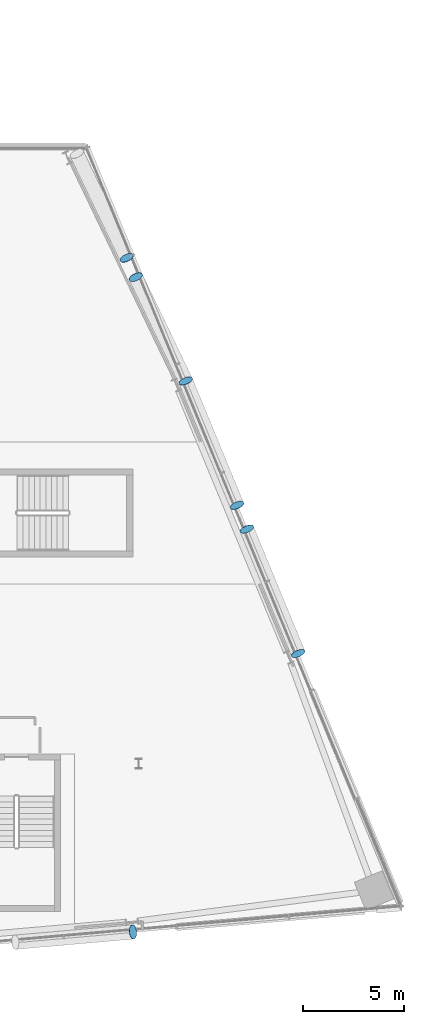
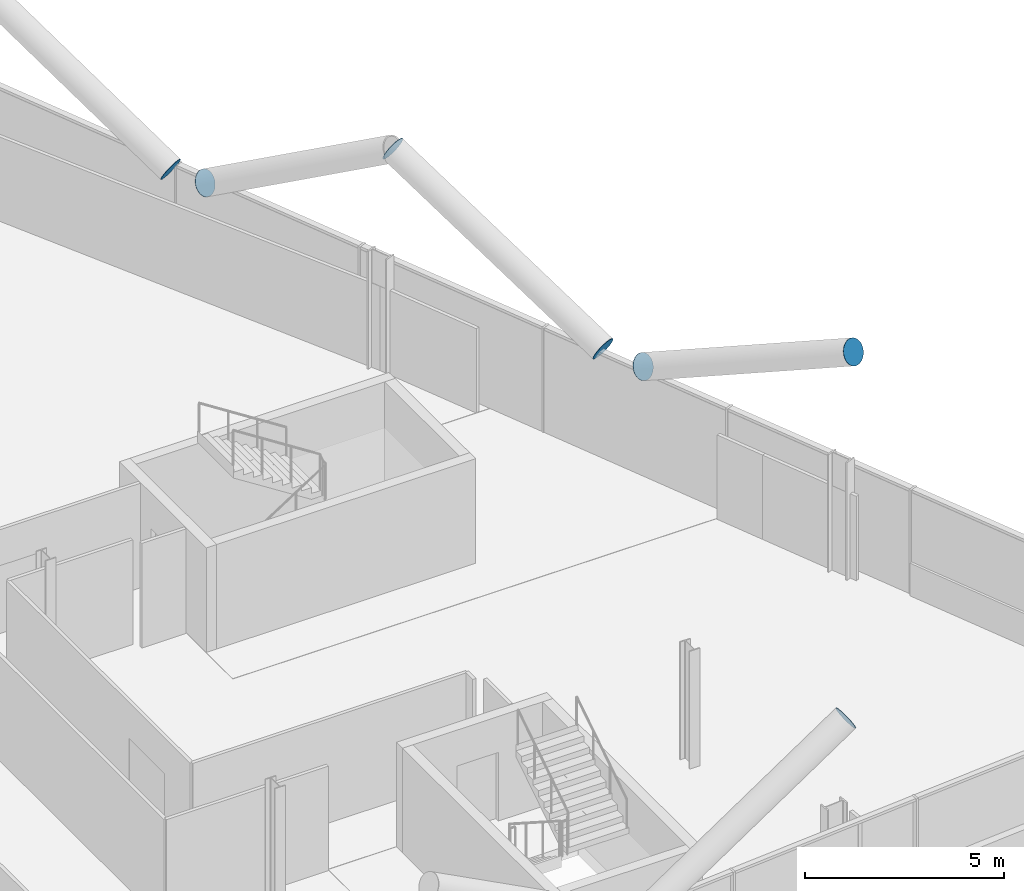
# One storey, part 23 of 26: 7 discrete accessories.
"""IFC4 building model written with IfcOpenShell, lengths in metres."""

from ifc_helpers import new_model, si_unit, direction, frame, origin, origin_2d, place, context, subcontext, project, spatial, circle, extrude, material, material_profile, profile_set, type_object, element, save


model = new_model("IFC4")

# Units and contexts
model_context = context("Model", 3, precision=1e-05, world=origin(), true_north=direction((0.0, 1.0)))
body_context = subcontext(model_context, "Body", "Model", "MODEL_VIEW")
ifc_project = project(units=[si_unit("LENGTHUNIT", "METRE"), si_unit("AREAUNIT", "SQUARE_METRE"), si_unit("VOLUMEUNIT", "CUBIC_METRE"), si_unit("PLANEANGLEUNIT", "RADIAN"), si_unit("MASSUNIT", "GRAM", prefix="KILO")], contexts=[model_context])

# Site, building, storey
site_placement = place(None, origin())
site = spatial("IfcSite", under=ifc_project, at=site_placement, CompositionType="ELEMENT")
building_placement = place(site_placement, origin())
building = spatial("IfcBuilding", under=site, at=building_placement, Name="Wharfspan Tower", CompositionType="ELEMENT")
storey_placement = place(building_placement, frame((0.0, 0.0, 180.699951)))
storey = spatial("IfcBuildingStorey", under=building, at=storey_placement, Name="L44", CompositionType="ELEMENT", Elevation=180.699951)

# Discrete accessories
ifc_material = material(Name="Steel S460NH", Category="steel")
ifc_material_profile = material_profile(ifc_material, circle(Radius=0.355469, at=origin_2d()))
ifc_profile_set = profile_set([ifc_material_profile], Name="Steel S460NH")
discrete_accessory_type = type_object("IfcDiscreteAccessoryType", Name="End plate CHS 711x36", PredefinedType="BRACKET", material=ifc_profile_set)
discrete_accessory_placement = place(storey_placement, frame((71.706055, 3.181641, 6.5), z_axis=(0.865849, 0.074216, 0.494771), x_axis=(-0.085402, 0.996345, 1e-06)))
element("IfcDiscreteAccessory", 1, at=discrete_accessory_placement, inside=storey, type_object=discrete_accessory_type, Name="End plate CHS 711x36", PredefinedType="BRACKET", context=body_context, shape_type="SweptSolid", body=[
    extrude(circle(Radius=0.355469, at=origin_2d()), origin(), (0.0, 0.0, 1.0), 0.009766),
])
for number, where, z_axis, x_axis, name in (
    (2, (76.857666, 24.266846, 3.212158), (-0.338259, 0.821486, 0.459066), (-0.924676, -0.380749, 0.0), "End plate CHS 711x36"),
    (3, (74.320557, 30.411865, 6.5), (-0.341972, 0.830504, 0.439679), (-0.924678, -0.380749, -1e-06), "End plate CHS 711x36"),
    (4, (77.3396, 23.099609, 3.212158), (0.338259, -0.821486, 0.459066), (0.924676, 0.380749, 0.0), "End plate CHS 711x36"),
    (5, (79.876465, 16.954346, 6.5), (0.341972, -0.830504, 0.439679), (0.924678, 0.380749, -1e-06), "End plate CHS 711x36"),
    (6, (71.404785, 36.496582, 3.200928), (-0.369386, 0.788024, 0.492515), (-0.905459, -0.424433, -1e-06), "End plate CHS 711x36"),
    (7, (71.854492, 35.55835, 3.200928), (0.369386, -0.788024, 0.492515), (0.905459, 0.424433, -1e-06), "End plate CHS 711x36"),
):
    element("IfcDiscreteAccessory", number, at=place(storey_placement, frame(where, z_axis=z_axis, x_axis=x_axis)), inside=storey, type_object=discrete_accessory_type, Name=name, PredefinedType="BRACKET", context=body_context, shape_type="SweptSolid", body=[
        extrude(circle(Radius=0.355469, at=origin_2d()), origin(), (0.0, 0.0, 1.0), 0.01001),
    ])

save(model, "model.ifc")
